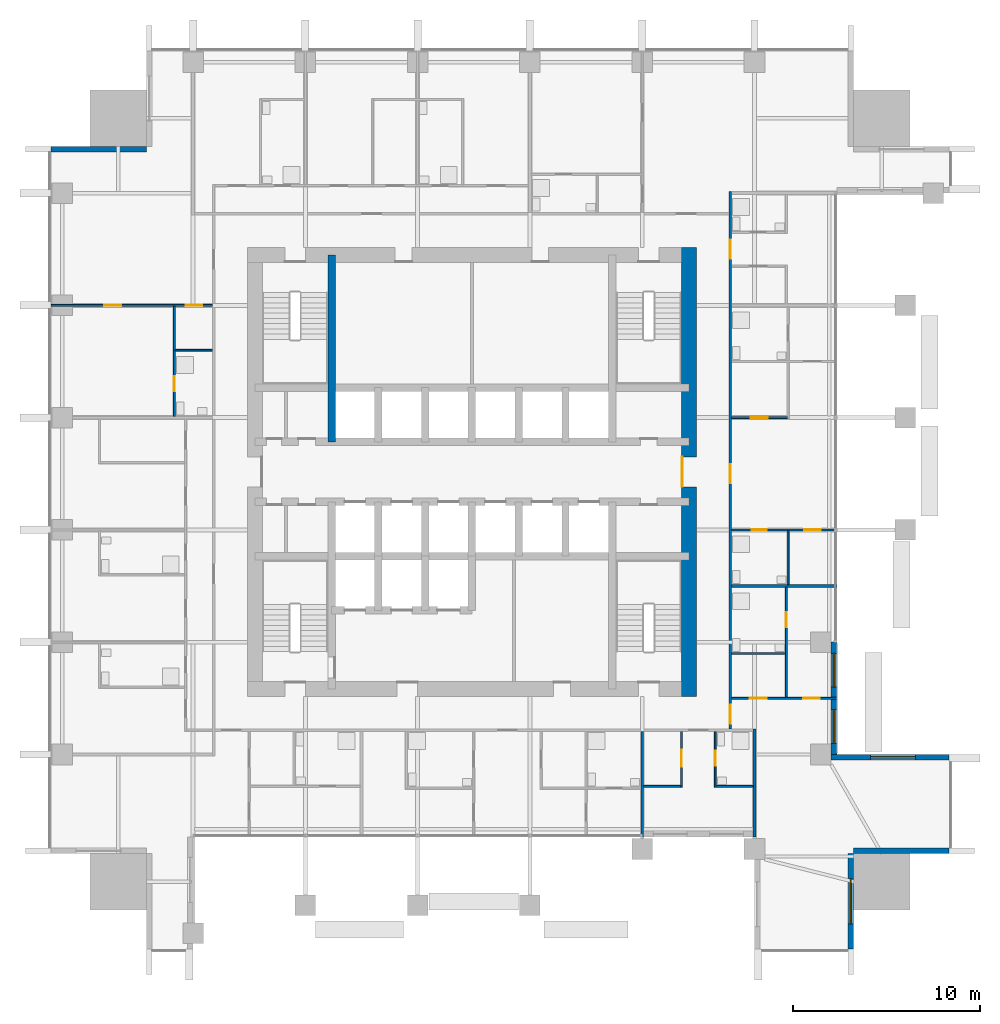
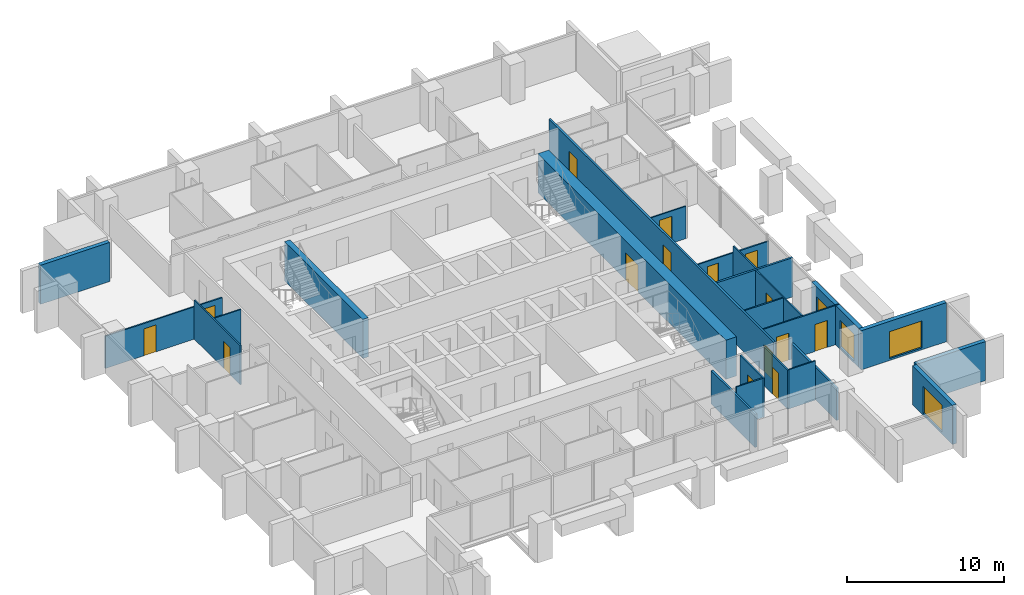
# One storey, part 9 of 13: 24 walls, 15 doors, 4 windows, 19 openings.
"""IFC4 building model written with IfcOpenShell, lengths in metres."""

from ifc_helpers import new_model, si_unit, direction, frame, frame_2d, origin, place, context, subcontext, project, spatial, rectangle, extrude, material, layer, layer_set, type_object, element, fill, save


model = new_model("IFC4")

# Units and contexts
model_context = context("Model", 3, precision=1e-05, world=origin(), true_north=direction((0.0, 1.0)))
body_context = subcontext(model_context, "Body", "Model", "MODEL_VIEW")
ifc_project = project(units=[si_unit("LENGTHUNIT", "METRE"), si_unit("AREAUNIT", "SQUARE_METRE"), si_unit("VOLUMEUNIT", "CUBIC_METRE"), si_unit("PLANEANGLEUNIT", "RADIAN"), si_unit("MASSUNIT", "GRAM", prefix="KILO")], contexts=[model_context])

# Site, building, storey
site_placement = place(None, origin())
site = spatial("IfcSite", under=ifc_project, at=site_placement, CompositionType="ELEMENT")
building_placement = place(site_placement, origin())
building = spatial("IfcBuilding", under=site, at=building_placement, Name="Amberfall Residences", CompositionType="ELEMENT")
storey_placement = place(building_placement, frame((0.0, 0.0, 111.699951171875)))
storey = spatial("IfcBuildingStorey", under=building, at=storey_placement, Name="L30", CompositionType="ELEMENT", Elevation=111.699951171875)

# Wall, opening, window
ifc_material_1 = material(Name="Pale stone cladding on insulated backing", Category="masonry")
ifc_layer_1 = layer(ifc_material_1, 0.300048828125)
ifc_layer_set_1 = layer_set([ifc_layer_1], Name="Bronze clad wall 300")
wall_type_1 = type_object("IfcWallType", Name="Bronze clad wall 300", PredefinedType="SOLIDWALL", material=ifc_layer_set_1)
wall_1_placement = place(storey_placement, frame((94.75, 20.0, 0.0), z_axis=(0.0, 0.0, 1.0), x_axis=(0.0, 1.0, 0.0)))
wall_1 = element("IfcWall", 1, at=wall_1_placement, inside=storey, type_object=wall_type_1, Name="External wall L30 SE", PredefinedType="SOLIDWALL", context=body_context, shape_type="SweptSolid", body=[
    extrude(rectangle(XDim=5.10009765625, YDim=0.300048828125, at=frame_2d((2.550048828125, 0.0))), origin(), (0.0, 0.0, 1.0), 3.050048828125),
])
opening_1_placement = place(wall_1_placement, frame((1.35009765625, 0.0, 0.14990234375)))
opening_1 = element("IfcOpeningElement", 2, at=opening_1_placement, cuts=wall_1, Name="Opening WN5", PredefinedType="OPENING", context=body_context, shape_type="SweptSolid", body=[
    extrude(rectangle(XDim=2.39990234375, YDim=2.10009765625, at=frame_2d((1.199951171875, 1.050048828125))), frame((0.0, 0.159912109375, 0.0), z_axis=(0.0, -1.0, 0.0), x_axis=(1.0, 0.0, 0.0)), (0.0, 0.0, 1.0), 0.320068359375),
])
ifc_material_2 = material(Name="Bronze aluminium framed glazing", Category="aluminium")
window_type_1 = type_object("IfcWindowType", Name="Glazed opening 2400 x 2100 bronze", PartitioningType="DOUBLE_PANEL_VERTICAL", PredefinedType="WINDOW", material=ifc_material_2)
window_1_placement = place(opening_1_placement, origin())
window_1 = element("IfcWindow", 3, at=window_1_placement, inside=storey, type_object=window_type_1, Name="Window L30 SE", OverallHeight=2.10009765625, OverallWidth=2.39990234375, PartitioningType="DOUBLE_PANEL_VERTICAL", PredefinedType="WINDOW", context=body_context, shape_type="SweptSolid", body=[
    extrude(rectangle(XDim=2.39990234375, YDim=2.10009765625, at=frame_2d((1.199951171875, 1.050048828125))), frame((0.0, 0.030029296875, 0.0), z_axis=(0.0, -1.0, 0.0), x_axis=(1.0, 0.0, 0.0)), (0.0, 0.0, 1.0), 0.06005859375),
])
fill(opening_1, window_1)

# Wall
wall_2_placement = place(storey_placement, frame((94.89990234375, 25.25, 0.0), z_axis=(0.0, 0.0, 1.0), x_axis=(1.0, 0.0, 0.0)))
element("IfcWall", 4, at=wall_2_placement, inside=storey, type_object=wall_type_1, Name="External wall L30 SE", PredefinedType="SOLIDWALL", context=body_context, shape_type="SweptSolid", body=[
    extrude(rectangle(XDim=5.10009765625, YDim=0.300048828125, at=frame_2d((2.550048828125, 0.0))), origin(), (0.0, 0.0, 1.0), 3.050048828125),
])

# Wall, opening, window
wall_3_placement = place(storey_placement, frame((100.0, 30.25, 0.0), z_axis=(0.0, 0.0, 1.0), x_axis=(-1.0, 0.0, 0.0)))
wall_3 = element("IfcWall", 5, at=wall_3_placement, inside=storey, type_object=wall_type_1, Name="External wall L30 E", PredefinedType="SOLIDWALL", context=body_context, shape_type="SweptSolid", body=[
    extrude(rectangle(XDim=6.300048828125, YDim=0.300048828125, at=frame_2d((3.14990234375, 0.0))), origin(), (0.0, 0.0, 1.0), 3.050048828125),
])
opening_2_placement = place(wall_3_placement, frame((1.800048828125, 0.0, 0.14990234375)))
opening_2 = element("IfcOpeningElement", 6, at=opening_2_placement, cuts=wall_3, Name="Opening WN5", PredefinedType="OPENING", context=body_context, shape_type="SweptSolid", body=[
    extrude(rectangle(XDim=2.39990234375, YDim=2.10009765625, at=frame_2d((1.199951171875, 1.050048828125))), frame((0.0, 0.159912109375, 0.0), z_axis=(0.0, -1.0, 0.0), x_axis=(1.0, 0.0, 0.0)), (0.0, 0.0, 1.0), 0.320068359375),
])
window_2_placement = place(opening_2_placement, origin())
window_2 = element("IfcWindow", 7, at=window_2_placement, inside=storey, type_object=window_type_1, Name="Window L30 E", OverallHeight=2.10009765625, OverallWidth=2.39990234375, PartitioningType="DOUBLE_PANEL_VERTICAL", PredefinedType="WINDOW", context=body_context, shape_type="SweptSolid", body=[
    extrude(rectangle(XDim=2.39990234375, YDim=2.10009765625, at=frame_2d((1.199951171875, 1.050048828125))), frame((0.0, 0.030029296875, 0.0), z_axis=(0.0, -1.0, 0.0), x_axis=(1.0, 0.0, 0.0)), (0.0, 0.0, 1.0), 0.06005859375),
])
fill(opening_2, window_2)

# Wall
wall_4_placement = place(storey_placement, frame((57.10009765625, 62.75, 0.0), z_axis=(0.0, 0.0, 1.0), x_axis=(-1.0, 0.0, 0.0)))
element("IfcWall", 8, at=wall_4_placement, inside=storey, type_object=wall_type_1, Name="External wall L30 NW", PredefinedType="SOLIDWALL", context=body_context, shape_type="SweptSolid", body=[
    extrude(rectangle(XDim=5.10009765625, YDim=0.300048828125, at=frame_2d((2.550048828125, 0.0))), origin(), (0.0, 0.0, 1.0), 3.050048828125),
])

# Wall, openings, windows
wall_5_placement = place(storey_placement, frame((93.85009765625, 30.39990234375, 0.0), z_axis=(0.0, 0.0, 1.0), x_axis=(0.0, 1.0, 0.0)))
wall_5 = element("IfcWall", 9, at=wall_5_placement, inside=storey, type_object=wall_type_1, Name="Stone wall L30 E", PredefinedType="SOLIDWALL", context=body_context, shape_type="SweptSolid", body=[
    extrude(rectangle(XDim=6.0, YDim=0.300048828125, at=frame_2d((3.0, 0.0))), origin(), (0.0, 0.0, 1.0), 3.050048828125),
])
opening_3_placement = place(wall_5_placement, frame((0.60009765625, 0.0, 0.14990234375)))
opening_3 = element("IfcOpeningElement", 10, at=opening_3_placement, cuts=wall_5, Name="Opening WN6", PredefinedType="OPENING", context=body_context, shape_type="SweptSolid", body=[
    extrude(rectangle(XDim=1.800048828125, YDim=2.10009765625, at=frame_2d((0.89990234375, 1.050048828125))), frame((0.0, 0.159912109375, 0.0), z_axis=(0.0, -1.0, 0.0), x_axis=(1.0, 0.0, 0.0)), (0.0, 0.0, 1.0), 0.320068359375),
])
opening_4_placement = place(wall_5_placement, frame((3.60009765625, 0.0, 0.14990234375)))
opening_4 = element("IfcOpeningElement", 11, at=opening_4_placement, cuts=wall_5, Name="Opening WN6", PredefinedType="OPENING", context=body_context, shape_type="SweptSolid", body=[
    extrude(rectangle(XDim=1.800048828125, YDim=2.10009765625, at=frame_2d((0.89990234375, 1.050048828125))), frame((0.0, 0.159912109375, 0.0), z_axis=(0.0, -1.0, 0.0), x_axis=(1.0, 0.0, 0.0)), (0.0, 0.0, 1.0), 0.320068359375),
])
window_type_2 = type_object("IfcWindowType", Name="Glazed opening 1800 x 2100 bronze", PartitioningType="DOUBLE_PANEL_VERTICAL", PredefinedType="WINDOW", material=ifc_material_2)
window_3_placement = place(opening_3_placement, origin())
window_3 = element("IfcWindow", 12, at=window_3_placement, inside=storey, type_object=window_type_2, Name="Window L30 E", OverallHeight=2.10009765625, OverallWidth=1.800048828125, PartitioningType="DOUBLE_PANEL_VERTICAL", PredefinedType="WINDOW", context=body_context, shape_type="SweptSolid", body=[
    extrude(rectangle(XDim=1.800048828125, YDim=2.10009765625, at=frame_2d((0.89990234375, 1.050048828125))), frame((0.0, 0.030029296875, 0.0), z_axis=(0.0, -1.0, 0.0), x_axis=(1.0, 0.0, 0.0)), (0.0, 0.0, 1.0), 0.06005859375),
])
fill(opening_3, window_3)
window_4_placement = place(opening_4_placement, origin())
window_4 = element("IfcWindow", 13, at=window_4_placement, inside=storey, type_object=window_type_2, Name="Window L30 E", OverallHeight=2.10009765625, OverallWidth=1.800048828125, PartitioningType="DOUBLE_PANEL_VERTICAL", PredefinedType="WINDOW", context=body_context, shape_type="SweptSolid", body=[
    extrude(rectangle(XDim=1.800048828125, YDim=2.10009765625, at=frame_2d((0.89990234375, 1.050048828125))), frame((0.0, 0.030029296875, 0.0), z_axis=(0.0, -1.0, 0.0), x_axis=(1.0, 0.0, 0.0)), (0.0, 0.0, 1.0), 0.06005859375),
])
fill(opening_4, window_4)

# Wall
ifc_material_3 = material(Name="Concrete C70", Category="concrete")
ifc_layer_2 = layer(ifc_material_3, 0.39990234375)
ifc_layer_set_2 = layer_set([ifc_layer_2], Name="Core wall 400 C70")
wall_type_2 = type_object("IfcWallType", Name="Core wall 400 C70", PredefinedType="SHEAR", material=ifc_layer_set_2)
wall_6_placement = place(storey_placement, frame((67.0, 47.10009765625, 0.0), z_axis=(0.0, 0.0, 1.0), x_axis=(0.0, 1.0, 0.0)))
element("IfcWall", 14, at=wall_6_placement, inside=storey, type_object=wall_type_2, Name="Core wall RW4 L30 V45N", PredefinedType="SHEAR", context=body_context, shape_type="SweptSolid", body=[
    extrude(rectangle(XDim=10.0, YDim=0.39990234375, at=frame_2d((5.0, 0.0))), origin(), (0.0, 0.0, 1.0), 3.050048828125),
])

# Wall, opening, door
ifc_layer_3 = layer(ifc_material_3, 0.800048828125)
ifc_layer_set_3 = layer_set([ifc_layer_3], Name="Core wall 800 C70")
wall_type_3 = type_object("IfcWallType", Name="Core wall 800 C70", PredefinedType="SHEAR", material=ifc_layer_set_3)
wall_7_placement = place(storey_placement, frame((86.10009765625, 33.5, 0.0), z_axis=(0.0, 0.0, 1.0), x_axis=(0.0, 1.0, 0.0)))
wall_7 = element("IfcWall", 15, at=wall_7_placement, inside=storey, type_object=wall_type_3, Name="Core wall RW3 L30 OE", PredefinedType="SHEAR", context=body_context, shape_type="SweptSolid", body=[
    extrude(rectangle(XDim=24.0, YDim=0.800048828125, at=frame_2d((12.0, 0.0))), origin(), (0.0, 0.0, 1.0), 3.050048828125),
])
opening_5_placement = place(wall_7_placement, frame((11.199951171875, 0.0, 0.0)))
opening_5 = element("IfcOpeningElement", 16, at=opening_5_placement, cuts=wall_7, Name="Opening LB1", PredefinedType="OPENING", context=body_context, shape_type="SweptSolid", body=[
    extrude(rectangle(XDim=1.60009765625, YDim=2.10009765625, at=frame_2d((0.800048828125, 1.050048828125))), frame((0.0, 0.409912109375, 0.0), z_axis=(0.0, -1.0, 0.0), x_axis=(1.0, 0.0, 0.0)), (0.0, 0.0, 1.0), 0.820068359375),
])
ifc_material_4 = material(Name="Steel fire door set", Category="steel")
door_type_1 = type_object("IfcDoorType", Name="Lift lobby double door 1600 x 2100", OperationType="DOUBLE_DOOR_SINGLE_SWING", PredefinedType="DOOR", material=ifc_material_4)
door_1_placement = place(opening_5_placement, origin())
door_1 = element("IfcDoor", 17, at=door_1_placement, inside=storey, type_object=door_type_1, Name="LB1 L30", OperationType="DOUBLE_DOOR_SINGLE_SWING", OverallHeight=2.10009765625, OverallWidth=1.60009765625, PredefinedType="DOOR", context=body_context, shape_type="SweptSolid", body=[
    extrude(rectangle(XDim=1.60009765625, YDim=2.10009765625, at=frame_2d((0.800048828125, 1.050048828125))), frame((0.0, 0.3876953125, 0.0), z_axis=(0.0, -1.0, 0.0), x_axis=(1.0, 0.0, 0.0)), (0.0, 0.0, 1.0), 0.050048828125),
])
fill(opening_5, door_1)

ifc_material_5 = material(Name="Gypsum board on metal stud")
ifc_layer_4 = layer(ifc_material_5, 0.10009765625)
ifc_layer_set_4 = layer_set([ifc_layer_4], Name="Flat partition 100")
wall_type_4 = type_object("IfcWallType", Name="Flat partition 100", PredefinedType="PARTITIONING", material=ifc_layer_set_4)
wall_8_placement = place(storey_placement, frame((58.60009765625, 54.35009765625, 0.0), z_axis=(0.0, 0.0, 1.0), x_axis=(0.0, -1.0, 0.0)))
wall_8 = element("IfcWall", 18, at=wall_8_placement, inside=storey, type_object=wall_type_4, Name="Partition 004", PredefinedType="PARTITIONING", context=body_context, shape_type="SweptSolid", body=[
    extrude(rectangle(XDim=5.875, YDim=0.10009765625, at=frame_2d((2.9375, 0.0))), origin(), (0.0, 0.0, 1.0), 3.050048828125),
])
opening_6_placement = place(wall_8_placement, frame((3.75, 0.0, 0.0)))
opening_6 = element("IfcOpeningElement", 19, at=opening_6_placement, cuts=wall_8, Name="Opening D42", PredefinedType="OPENING", context=body_context, shape_type="SweptSolid", body=[
    extrude(rectangle(XDim=0.800048828125, YDim=2.10009765625, at=frame_2d((0.39990234375, 1.050048828125))), frame((0.0, 0.06005859375, 0.0), z_axis=(0.0, -1.0, 0.0), x_axis=(1.0, 0.0, 0.0)), (0.0, 0.0, 1.0), 0.1201171875),
])
ifc_material_6 = material(Name="Timber", Category="wood")
door_type_2 = type_object("IfcDoorType", Name="Bathroom door 800 x 2100", OperationType="SINGLE_SWING_LEFT", PredefinedType="DOOR", material=ifc_material_6)
door_2_placement = place(opening_6_placement, origin())
door_2 = element("IfcDoor", 20, at=door_2_placement, inside=storey, type_object=door_type_2, Name="Door 3010 bath1", OperationType="SINGLE_SWING_LEFT", OverallHeight=2.10009765625, OverallWidth=0.800048828125, PredefinedType="DOOR", context=body_context, shape_type="SweptSolid", body=[
    extrude(rectangle(XDim=0.800048828125, YDim=2.10009765625, at=frame_2d((0.39990234375, 1.050048828125))), frame((0.0, 0.02490234375, 0.0), z_axis=(0.0, -1.0, 0.0), x_axis=(1.0, 0.0, 0.0)), (0.0, 0.0, 1.0), 0.050048828125),
])
fill(opening_6, door_2)

wall_9_placement = place(storey_placement, frame((85.699951171875, 28.64990234375, 0.0), z_axis=(0.0, 0.0, 1.0), x_axis=(0.0, 1.0, 0.0)))
wall_9 = element("IfcWall", 21, at=wall_9_placement, inside=storey, type_object=wall_type_4, Name="Partition 020", PredefinedType="PARTITIONING", context=body_context, shape_type="SweptSolid", body=[
    extrude(rectangle(XDim=2.97509765625, YDim=0.10009765625, at=frame_2d((1.487548828125, 0.0))), origin(), (0.0, 0.0, 1.0), 3.050048828125),
])
opening_7_placement = place(wall_9_placement, frame((1.10009765625, 0.0, 0.0)))
opening_7 = element("IfcOpeningElement", 22, at=opening_7_placement, cuts=wall_9, Name="Opening D41", PredefinedType="OPENING", context=body_context, shape_type="SweptSolid", body=[
    extrude(rectangle(XDim=0.89990234375, YDim=2.10009765625, at=frame_2d((0.449951171875, 1.050048828125))), frame((0.0, 0.06005859375, 0.0), z_axis=(0.0, -1.0, 0.0), x_axis=(1.0, 0.0, 0.0)), (0.0, 0.0, 1.0), 0.1201171875),
])
door_type_3 = type_object("IfcDoorType", Name="Internal door 900 x 2100", OperationType="SINGLE_SWING_LEFT", PredefinedType="DOOR", material=ifc_material_6)
door_3_placement = place(opening_7_placement, origin())
door_3 = element("IfcDoor", 23, at=door_3_placement, inside=storey, type_object=door_type_3, Name="Door 3003 kitchen", OperationType="SINGLE_SWING_LEFT", OverallHeight=2.10009765625, OverallWidth=0.89990234375, PredefinedType="DOOR", context=body_context, shape_type="SweptSolid", body=[
    extrude(rectangle(XDim=0.89990234375, YDim=2.10009765625, at=frame_2d((0.449951171875, 1.050048828125))), frame((0.0, 0.02490234375, 0.0), z_axis=(0.0, -1.0, 0.0), x_axis=(1.0, 0.0, 0.0)), (0.0, 0.0, 1.0), 0.050048828125),
])
fill(opening_7, door_3)

wall_10_placement = place(storey_placement, frame((87.5, 31.625, 0.0), z_axis=(0.0, 0.0, 1.0), x_axis=(0.0, -1.0, 0.0)))
wall_10 = element("IfcWall", 24, at=wall_10_placement, inside=storey, type_object=wall_type_4, Name="Partition 021", PredefinedType="PARTITIONING", context=body_context, shape_type="SweptSolid", body=[
    extrude(rectangle(XDim=2.97509765625, YDim=0.10009765625, at=frame_2d((1.487548828125, 0.0))), origin(), (0.0, 0.0, 1.0), 3.050048828125),
])
opening_8_placement = place(wall_10_placement, frame((1.02490234375, 0.0, 0.0)))
opening_8 = element("IfcOpeningElement", 25, at=opening_8_placement, cuts=wall_10, Name="Opening D42", PredefinedType="OPENING", context=body_context, shape_type="SweptSolid", body=[
    extrude(rectangle(XDim=0.800048828125, YDim=2.10009765625, at=frame_2d((0.39990234375, 1.050048828125))), frame((0.0, 0.06005859375, 0.0), z_axis=(0.0, -1.0, 0.0), x_axis=(1.0, 0.0, 0.0)), (0.0, 0.0, 1.0), 0.1201171875),
])
door_4_placement = place(opening_8_placement, origin())
door_4 = element("IfcDoor", 26, at=door_4_placement, inside=storey, type_object=door_type_2, Name="Door 3003 bath1", OperationType="SINGLE_SWING_LEFT", OverallHeight=2.10009765625, OverallWidth=0.800048828125, PredefinedType="DOOR", context=body_context, shape_type="SweptSolid", body=[
    extrude(rectangle(XDim=0.800048828125, YDim=2.10009765625, at=frame_2d((0.39990234375, 1.050048828125))), frame((0.0, 0.02490234375, 0.0), z_axis=(0.0, -1.0, 0.0), x_axis=(1.0, 0.0, 0.0)), (0.0, 0.0, 1.0), 0.050048828125),
])
fill(opening_8, door_4)

wall_11_placement = place(storey_placement, frame((91.300048828125, 33.449951171875, 0.0), z_axis=(0.0, 0.0, 1.0), x_axis=(0.0, 1.0, 0.0)))
wall_11 = element("IfcWall", 27, at=wall_11_placement, inside=storey, type_object=wall_type_4, Name="Partition 022", PredefinedType="PARTITIONING", context=body_context, shape_type="SweptSolid", body=[
    extrude(rectangle(XDim=5.875, YDim=0.10009765625, at=frame_2d((2.9375, 0.0))), origin(), (0.0, 0.0, 1.0), 3.050048828125),
])
opening_9_placement = place(wall_11_placement, frame((3.75, 0.0, 0.0)))
opening_9 = element("IfcOpeningElement", 28, at=opening_9_placement, cuts=wall_11, Name="Opening D42", PredefinedType="OPENING", context=body_context, shape_type="SweptSolid", body=[
    extrude(rectangle(XDim=0.800048828125, YDim=2.10009765625, at=frame_2d((0.39990234375, 1.050048828125))), frame((0.0, 0.06005859375, 0.0), z_axis=(0.0, -1.0, 0.0), x_axis=(1.0, 0.0, 0.0)), (0.0, 0.0, 1.0), 0.1201171875),
])
door_5_placement = place(opening_9_placement, origin())
door_5 = element("IfcDoor", 29, at=door_5_placement, inside=storey, type_object=door_type_2, Name="Door 3004 bath1", OperationType="SINGLE_SWING_LEFT", OverallHeight=2.10009765625, OverallWidth=0.800048828125, PredefinedType="DOOR", context=body_context, shape_type="SweptSolid", body=[
    extrude(rectangle(XDim=0.800048828125, YDim=2.10009765625, at=frame_2d((0.39990234375, 1.050048828125))), frame((0.0, 0.02490234375, 0.0), z_axis=(0.0, -1.0, 0.0), x_axis=(1.0, 0.0, 0.0)), (0.0, 0.0, 1.0), 0.050048828125),
])
fill(opening_9, door_5)

# Wall
wall_12_placement = place(storey_placement, frame((91.39990234375, 39.47509765625, 0.0), z_axis=(0.0, 0.0, 1.0), x_axis=(0.0, 1.0, 0.0)))
element("IfcWall", 30, at=wall_12_placement, inside=storey, type_object=wall_type_4, Name="Partition 025", PredefinedType="PARTITIONING", context=body_context, shape_type="SweptSolid", body=[
    extrude(rectangle(XDim=2.875, YDim=0.10009765625, at=frame_2d((1.4375, 0.0))), origin(), (0.0, 0.0, 1.0), 3.050048828125),
])

# Wall, openings, doors
wall_13_placement = place(storey_placement, frame((60.625, 54.39990234375, 0.0), z_axis=(0.0, 0.0, 1.0), x_axis=(-1.0, 0.0, 0.0)))
wall_13 = element("IfcWall", 31, at=wall_13_placement, inside=storey, type_object=wall_type_4, Name="Partition 033", PredefinedType="PARTITIONING", context=body_context, shape_type="SweptSolid", body=[
    extrude(rectangle(XDim=8.625, YDim=0.10009765625, at=frame_2d((4.3125, 0.0))), origin(), (0.0, 0.0, 1.0), 2.51611328125),
])
opening_10_placement = place(wall_13_placement, frame((0.52490234375, 0.0, 0.0)))
opening_10 = element("IfcOpeningElement", 32, at=opening_10_placement, cuts=wall_13, Name="Opening D41", PredefinedType="OPENING", context=body_context, shape_type="SweptSolid", body=[
    extrude(rectangle(XDim=0.89990234375, YDim=2.10009765625, at=frame_2d((0.449951171875, 1.050048828125))), frame((0.0, 0.06005859375, 0.0), z_axis=(0.0, -1.0, 0.0), x_axis=(1.0, 0.0, 0.0)), (0.0, 0.0, 1.0), 0.1201171875),
])
opening_11_placement = place(wall_13_placement, frame((4.875, 0.0, 0.0)))
opening_11 = element("IfcOpeningElement", 33, at=opening_11_placement, cuts=wall_13, Name="Opening D41", PredefinedType="OPENING", context=body_context, shape_type="SweptSolid", body=[
    extrude(rectangle(XDim=0.89990234375, YDim=2.10009765625, at=frame_2d((0.449951171875, 1.050048828125))), frame((0.0, 0.06005859375, 0.0), z_axis=(0.0, -1.0, 0.0), x_axis=(1.0, 0.0, 0.0)), (0.0, 0.0, 1.0), 0.1201171875),
])
door_6_placement = place(opening_10_placement, origin())
door_6 = element("IfcDoor", 34, at=door_6_placement, inside=storey, type_object=door_type_3, Name="Door 3010 kitchen", OperationType="SINGLE_SWING_LEFT", OverallHeight=2.10009765625, OverallWidth=0.89990234375, PredefinedType="DOOR", context=body_context, shape_type="SweptSolid", body=[
    extrude(rectangle(XDim=0.89990234375, YDim=2.10009765625, at=frame_2d((0.449951171875, 1.050048828125))), frame((0.0, 0.02490234375, 0.0), z_axis=(0.0, -1.0, 0.0), x_axis=(1.0, 0.0, 0.0)), (0.0, 0.0, 1.0), 0.050048828125),
])
fill(opening_10, door_6)
door_7_placement = place(opening_11_placement, origin())
door_7 = element("IfcDoor", 35, at=door_7_placement, inside=storey, type_object=door_type_3, Name="Door 3010 bedroom1", OperationType="SINGLE_SWING_LEFT", OverallHeight=2.10009765625, OverallWidth=0.89990234375, PredefinedType="DOOR", context=body_context, shape_type="SweptSolid", body=[
    extrude(rectangle(XDim=0.89990234375, YDim=2.10009765625, at=frame_2d((0.449951171875, 1.050048828125))), frame((0.0, 0.02490234375, 0.0), z_axis=(0.0, -1.0, 0.0), x_axis=(1.0, 0.0, 0.0)), (0.0, 0.0, 1.0), 0.050048828125),
])
fill(opening_11, door_7)

# Wall
wall_14_placement = place(storey_placement, frame((58.64990234375, 52.0, 0.0), z_axis=(0.0, 0.0, 1.0), x_axis=(1.0, 0.0, 0.0)))
element("IfcWall", 36, at=wall_14_placement, inside=storey, type_object=wall_type_4, Name="Partition 034", PredefinedType="PARTITIONING", context=body_context, shape_type="SweptSolid", body=[
    extrude(rectangle(XDim=1.97509765625, YDim=0.10009765625, at=frame_2d((0.987548828125, 0.0))), origin(), (0.0, 0.0, 1.0), 3.050048828125),
])

# Wall, opening, door
wall_15_placement = place(storey_placement, frame((88.375, 48.39990234375, 0.0), z_axis=(0.0, 0.0, 1.0), x_axis=(1.0, 0.0, 0.0)))
wall_15 = element("IfcWall", 37, at=wall_15_placement, inside=storey, type_object=wall_type_4, Name="Partition 036", PredefinedType="PARTITIONING", context=body_context, shape_type="SweptSolid", body=[
    extrude(rectangle(XDim=2.97509765625, YDim=0.10009765625, at=frame_2d((1.487548828125, 0.0))), origin(), (0.0, 0.0, 1.0), 2.51611328125),
])
opening_12_placement = place(wall_15_placement, frame((1.02490234375, 0.0, 0.0)))
opening_12 = element("IfcOpeningElement", 38, at=opening_12_placement, cuts=wall_15, Name="Opening D41", PredefinedType="OPENING", context=body_context, shape_type="SweptSolid", body=[
    extrude(rectangle(XDim=0.89990234375, YDim=2.10009765625, at=frame_2d((0.449951171875, 1.050048828125))), frame((0.0, 0.06005859375, 0.0), z_axis=(0.0, -1.0, 0.0), x_axis=(1.0, 0.0, 0.0)), (0.0, 0.0, 1.0), 0.1201171875),
])
door_8_placement = place(opening_12_placement, origin())
door_8 = element("IfcDoor", 39, at=door_8_placement, inside=storey, type_object=door_type_3, Name="Door 3005 kitchen", OperationType="SINGLE_SWING_LEFT", OverallHeight=2.10009765625, OverallWidth=0.89990234375, PredefinedType="DOOR", context=body_context, shape_type="SweptSolid", body=[
    extrude(rectangle(XDim=0.89990234375, YDim=2.10009765625, at=frame_2d((0.449951171875, 1.050048828125))), frame((0.0, 0.02490234375, 0.0), z_axis=(0.0, -1.0, 0.0), x_axis=(1.0, 0.0, 0.0)), (0.0, 0.0, 1.0), 0.050048828125),
])
fill(opening_12, door_8)

# Wall, openings, doors
wall_16_placement = place(storey_placement, frame((94.0, 42.39990234375, 0.0), z_axis=(0.0, 0.0, 1.0), x_axis=(-1.0, 0.0, 0.0)))
wall_16 = element("IfcWall", 40, at=wall_16_placement, inside=storey, type_object=wall_type_4, Name="Partition 039", PredefinedType="PARTITIONING", context=body_context, shape_type="SweptSolid", body=[
    extrude(rectangle(XDim=5.625, YDim=0.10009765625, at=frame_2d((2.8125, 0.0))), origin(), (0.0, 0.0, 1.0), 2.51611328125),
])
opening_13_placement = place(wall_16_placement, frame((0.85009765625, 0.0, 0.0)))
opening_13 = element("IfcOpeningElement", 41, at=opening_13_placement, cuts=wall_16, Name="Opening D41", PredefinedType="OPENING", context=body_context, shape_type="SweptSolid", body=[
    extrude(rectangle(XDim=0.89990234375, YDim=2.10009765625, at=frame_2d((0.449951171875, 1.050048828125))), frame((0.0, 0.06005859375, 0.0), z_axis=(0.0, -1.0, 0.0), x_axis=(1.0, 0.0, 0.0)), (0.0, 0.0, 1.0), 0.1201171875),
])
opening_14_placement = place(wall_16_placement, frame((3.75, 0.0, 0.0)))
opening_14 = element("IfcOpeningElement", 42, at=opening_14_placement, cuts=wall_16, Name="Opening D42", PredefinedType="OPENING", context=body_context, shape_type="SweptSolid", body=[
    extrude(rectangle(XDim=0.800048828125, YDim=2.10009765625, at=frame_2d((0.39990234375, 1.050048828125))), frame((0.0, 0.06005859375, 0.0), z_axis=(0.0, -1.0, 0.0), x_axis=(1.0, 0.0, 0.0)), (0.0, 0.0, 1.0), 0.1201171875),
])
door_9_placement = place(opening_14_placement, origin())
door_9 = element("IfcDoor", 43, at=door_9_placement, inside=storey, type_object=door_type_2, Name="Door 3005 bath1", OperationType="SINGLE_SWING_LEFT", OverallHeight=2.10009765625, OverallWidth=0.800048828125, PredefinedType="DOOR", context=body_context, shape_type="SweptSolid", body=[
    extrude(rectangle(XDim=0.800048828125, YDim=2.10009765625, at=frame_2d((0.39990234375, 1.050048828125))), frame((0.0, 0.02490234375, 0.0), z_axis=(0.0, -1.0, 0.0), x_axis=(1.0, 0.0, 0.0)), (0.0, 0.0, 1.0), 0.050048828125),
])
fill(opening_14, door_9)
door_10_placement = place(opening_13_placement, origin())
door_10 = element("IfcDoor", 44, at=door_10_placement, inside=storey, type_object=door_type_3, Name="Door 3005 bedroom1", OperationType="SINGLE_SWING_LEFT", OverallHeight=2.10009765625, OverallWidth=0.89990234375, PredefinedType="DOOR", context=body_context, shape_type="SweptSolid", body=[
    extrude(rectangle(XDim=0.89990234375, YDim=2.10009765625, at=frame_2d((0.449951171875, 1.050048828125))), frame((0.0, 0.02490234375, 0.0), z_axis=(0.0, -1.0, 0.0), x_axis=(1.0, 0.0, 0.0)), (0.0, 0.0, 1.0), 0.050048828125),
])
fill(opening_13, door_10)

# Wall
wall_17_placement = place(storey_placement, frame((88.375, 35.800048828125, 0.0), z_axis=(0.0, 0.0, 1.0), x_axis=(1.0, 0.0, 0.0)))
element("IfcWall", 45, at=wall_17_placement, inside=storey, type_object=wall_type_4, Name="Partition 042", PredefinedType="PARTITIONING", context=body_context, shape_type="SweptSolid", body=[
    extrude(rectangle(XDim=2.875, YDim=0.10009765625, at=frame_2d((1.4375, 0.0))), origin(), (0.0, 0.0, 1.0), 3.050048828125),
])

# Wall, openings, doors
wall_18_placement = place(storey_placement, frame((88.375, 33.39990234375, 0.0), z_axis=(0.0, 0.0, 1.0), x_axis=(1.0, 0.0, 0.0)))
wall_18 = element("IfcWall", 46, at=wall_18_placement, inside=storey, type_object=wall_type_4, Name="Partition 044", PredefinedType="PARTITIONING", context=body_context, shape_type="SweptSolid", body=[
    extrude(rectangle(XDim=5.625, YDim=0.10009765625, at=frame_2d((2.8125, 0.0))), origin(), (0.0, 0.0, 1.0), 3.050048828125),
])
opening_15_placement = place(wall_18_placement, frame((0.97509765625, 0.0, 0.0)))
opening_15 = element("IfcOpeningElement", 47, at=opening_15_placement, cuts=wall_18, Name="Opening D41", PredefinedType="OPENING", context=body_context, shape_type="SweptSolid", body=[
    extrude(rectangle(XDim=0.89990234375, YDim=2.10009765625, at=frame_2d((0.449951171875, 1.050048828125))), frame((0.0, 0.06005859375, 0.0), z_axis=(0.0, -1.0, 0.0), x_axis=(1.0, 0.0, 0.0)), (0.0, 0.0, 1.0), 0.1201171875),
])
opening_16_placement = place(wall_18_placement, frame((3.824951171875, 0.0, 0.0)))
opening_16 = element("IfcOpeningElement", 48, at=opening_16_placement, cuts=wall_18, Name="Opening D41", PredefinedType="OPENING", context=body_context, shape_type="SweptSolid", body=[
    extrude(rectangle(XDim=0.89990234375, YDim=2.10009765625, at=frame_2d((0.449951171875, 1.050048828125))), frame((0.0, 0.06005859375, 0.0), z_axis=(0.0, -1.0, 0.0), x_axis=(1.0, 0.0, 0.0)), (0.0, 0.0, 1.0), 0.1201171875),
])
door_11_placement = place(opening_15_placement, origin())
door_11 = element("IfcDoor", 49, at=door_11_placement, inside=storey, type_object=door_type_3, Name="Door 3004 kitchen", OperationType="SINGLE_SWING_LEFT", OverallHeight=2.10009765625, OverallWidth=0.89990234375, PredefinedType="DOOR", context=body_context, shape_type="SweptSolid", body=[
    extrude(rectangle(XDim=0.89990234375, YDim=2.10009765625, at=frame_2d((0.449951171875, 1.050048828125))), frame((0.0, 0.02490234375, 0.0), z_axis=(0.0, -1.0, 0.0), x_axis=(1.0, 0.0, 0.0)), (0.0, 0.0, 1.0), 0.050048828125),
])
fill(opening_15, door_11)
door_12_placement = place(opening_16_placement, origin())
door_12 = element("IfcDoor", 50, at=door_12_placement, inside=storey, type_object=door_type_3, Name="Door 3004 bedroom1", OperationType="SINGLE_SWING_LEFT", OverallHeight=2.10009765625, OverallWidth=0.89990234375, PredefinedType="DOOR", context=body_context, shape_type="SweptSolid", body=[
    extrude(rectangle(XDim=0.89990234375, YDim=2.10009765625, at=frame_2d((0.449951171875, 1.050048828125))), frame((0.0, 0.02490234375, 0.0), z_axis=(0.0, -1.0, 0.0), x_axis=(1.0, 0.0, 0.0)), (0.0, 0.0, 1.0), 0.050048828125),
])
fill(opening_16, door_12)

# Walls
for number, where, z_axis, x_axis, name in (
    (51, (83.675048828125, 28.699951171875, 0.0), (0.0, 0.0, 1.0), (1.0, 0.0, 0.0), "Partition 047"),
    (52, (87.550048828125, 28.699951171875, 0.0), (0.0, 0.0, 1.0), (1.0, 0.0, 0.0), "Partition 048"),
):
    element("IfcWall", number, at=place(storey_placement, frame(where, z_axis=z_axis, x_axis=x_axis)), inside=storey, type_object=wall_type_4, Name=name, PredefinedType="PARTITIONING", context=body_context, shape_type="SweptSolid", body=[
        extrude(rectangle(XDim=1.974853515625, YDim=0.10009765625, at=frame_2d((0.9873046875, 0.0))), origin(), (0.0, 0.0, 1.0), 3.050048828125),
    ])
ifc_material_7 = material(Name="Blockwork, plastered", Category="masonry")
ifc_layer_5 = layer(ifc_material_7, 0.14990234375)
ifc_layer_set_5 = layer_set([ifc_layer_5], Name="Flat separating wall 150")
wall_type_5 = type_object("IfcWallType", Name="Flat separating wall 150", PredefinedType="PARTITIONING", material=ifc_layer_set_5)
wall_19_placement = place(storey_placement, frame((83.60009765625, 26.0, 0.0), z_axis=(0.0, 0.0, 1.0), x_axis=(0.0, 1.0, 0.0)))
element("IfcWall", 53, at=wall_19_placement, inside=storey, type_object=wall_type_5, Name="Separating wall 055", PredefinedType="PARTITIONING", context=body_context, shape_type="SweptSolid", body=[
    extrude(rectangle(XDim=5.625, YDim=0.14990234375, at=frame_2d((2.8125, 0.0))), origin(), (0.0, 0.0, 1.0), 2.589111328125),
])

# Wall, openings, doors
wall_20_placement = place(storey_placement, frame((88.300048828125, 60.47509765625, 0.0), z_axis=(0.0, 0.0, 1.0), x_axis=(0.0, -1.0, 0.0)))
wall_20 = element("IfcWall", 54, at=wall_20_placement, inside=storey, type_object=wall_type_5, Name="Separating wall 056", PredefinedType="PARTITIONING", context=body_context, shape_type="SweptSolid", body=[
    extrude(rectangle(XDim=28.7001953125, YDim=0.14990234375, at=frame_2d((14.35009765625, 0.0))), origin(), (0.0, 0.0, 1.0), 3.050048828125),
])
opening_17_placement = place(wall_20_placement, frame((27.425048828125, 0.0, 0.0)))
opening_17 = element("IfcOpeningElement", 55, at=opening_17_placement, cuts=wall_20, Name="Opening D40", PredefinedType="OPENING", context=body_context, shape_type="SweptSolid", body=[
    extrude(rectangle(XDim=1.0, YDim=2.10009765625, at=frame_2d((0.5, 1.050048828125))), frame((0.0, 0.0849609375, 0.0), z_axis=(0.0, -1.0, 0.0), x_axis=(1.0, 0.0, 0.0)), (0.0, 0.0, 1.0), 0.169921875),
])
opening_18_placement = place(wall_20_placement, frame((14.574951171875, 0.0, 0.0)))
opening_18 = element("IfcOpeningElement", 56, at=opening_18_placement, cuts=wall_20, Name="Opening D40", PredefinedType="OPENING", context=body_context, shape_type="SweptSolid", body=[
    extrude(rectangle(XDim=1.0, YDim=2.10009765625, at=frame_2d((0.5, 1.050048828125))), frame((0.0, 0.0849609375, 0.0), z_axis=(0.0, -1.0, 0.0), x_axis=(1.0, 0.0, 0.0)), (0.0, 0.0, 1.0), 0.169921875),
])
opening_19_placement = place(wall_20_placement, frame((2.574951171875, 0.0, 0.0)))
opening_19 = element("IfcOpeningElement", 57, at=opening_19_placement, cuts=wall_20, Name="Opening D40", PredefinedType="OPENING", context=body_context, shape_type="SweptSolid", body=[
    extrude(rectangle(XDim=1.0, YDim=2.10009765625, at=frame_2d((0.5, 1.050048828125))), frame((0.0, 0.0849609375, 0.0), z_axis=(0.0, -1.0, 0.0), x_axis=(1.0, 0.0, 0.0)), (0.0, 0.0, 1.0), 0.169921875),
])
ifc_material_8 = material(Name="Timber, fire-rated", Category="wood")
door_type_4 = type_object("IfcDoorType", Name="Flat entrance door FD60 1000 x 2100", OperationType="SINGLE_SWING_LEFT", PredefinedType="DOOR", material=ifc_material_8)
door_13_placement = place(opening_17_placement, origin())
door_13 = element("IfcDoor", 58, at=door_13_placement, inside=storey, type_object=door_type_4, Name="Door 3004 entrance", OperationType="SINGLE_SWING_LEFT", OverallHeight=2.10009765625, OverallWidth=1.0, PredefinedType="DOOR", context=body_context, shape_type="SweptSolid", body=[
    extrude(rectangle(XDim=1.0, YDim=2.10009765625, at=frame_2d((0.5, 1.050048828125))), frame((0.0, 0.02490234375, 0.0), z_axis=(0.0, -1.0, 0.0), x_axis=(1.0, 0.0, 0.0)), (0.0, 0.0, 1.0), 0.050048828125),
])
fill(opening_17, door_13)
door_14_placement = place(opening_18_placement, origin())
door_14 = element("IfcDoor", 59, at=door_14_placement, inside=storey, type_object=door_type_4, Name="Door 3005 entrance", OperationType="SINGLE_SWING_LEFT", OverallHeight=2.10009765625, OverallWidth=1.0, PredefinedType="DOOR", context=body_context, shape_type="SweptSolid", body=[
    extrude(rectangle(XDim=1.0, YDim=2.10009765625, at=frame_2d((0.5, 1.050048828125))), frame((0.0, 0.02490234375, 0.0), z_axis=(0.0, -1.0, 0.0), x_axis=(1.0, 0.0, 0.0)), (0.0, 0.0, 1.0), 0.050048828125),
])
fill(opening_18, door_14)
door_15_placement = place(opening_19_placement, origin())
door_15 = element("IfcDoor", 60, at=door_15_placement, inside=storey, type_object=door_type_4, Name="Door 3006 entrance", OperationType="SINGLE_SWING_LEFT", OverallHeight=2.10009765625, OverallWidth=1.0, PredefinedType="DOOR", context=body_context, shape_type="SweptSolid", body=[
    extrude(rectangle(XDim=1.0, YDim=2.10009765625, at=frame_2d((0.5, 1.050048828125))), frame((0.0, 0.02490234375, 0.0), z_axis=(0.0, -1.0, 0.0), x_axis=(1.0, 0.0, 0.0)), (0.0, 0.0, 1.0), 0.050048828125),
])
fill(opening_19, door_15)

# Walls
wall_21_placement = place(storey_placement, frame((89.60009765625, 26.0, 0.0), z_axis=(0.0, 0.0, 1.0), x_axis=(0.0, 1.0, 0.0)))
element("IfcWall", 61, at=wall_21_placement, inside=storey, type_object=wall_type_5, Name="Separating wall 057", PredefinedType="PARTITIONING", context=body_context, shape_type="SweptSolid", body=[
    extrude(rectangle(XDim=5.77490234375, YDim=0.14990234375, at=frame_2d((2.887451171875, 0.0))), origin(), (0.0, 0.0, 1.0), 2.51611328125),
])
wall_22_placement = place(storey_placement, frame((88.375, 39.39990234375, 0.0), z_axis=(0.0, 0.0, 1.0), x_axis=(1.0, 0.0, 0.0)))
element("IfcWall", 62, at=wall_22_placement, inside=storey, type_object=wall_type_5, Name="Separating wall 062", PredefinedType="PARTITIONING", context=body_context, shape_type="SweptSolid", body=[
    extrude(rectangle(XDim=5.625, YDim=0.14990234375, at=frame_2d((2.8125, 0.0))), origin(), (0.0, 0.0, 1.0), 3.050048828125),
])

save(model, "model.ifc")
